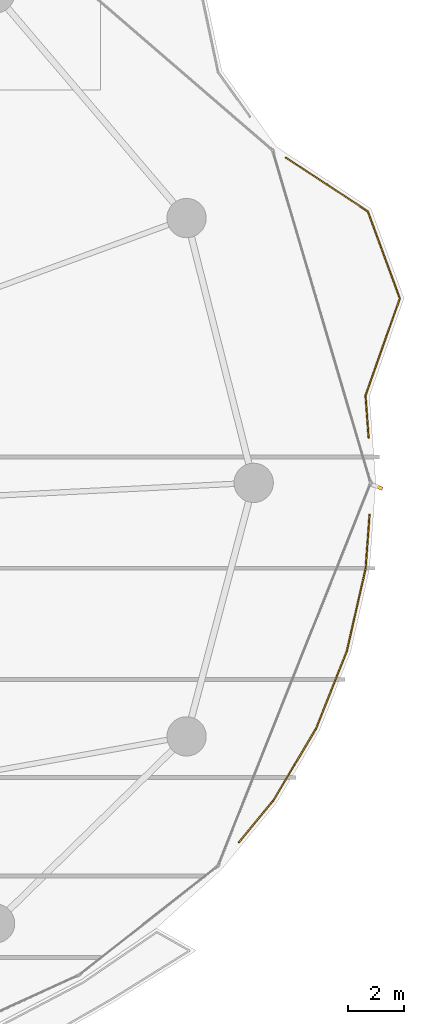
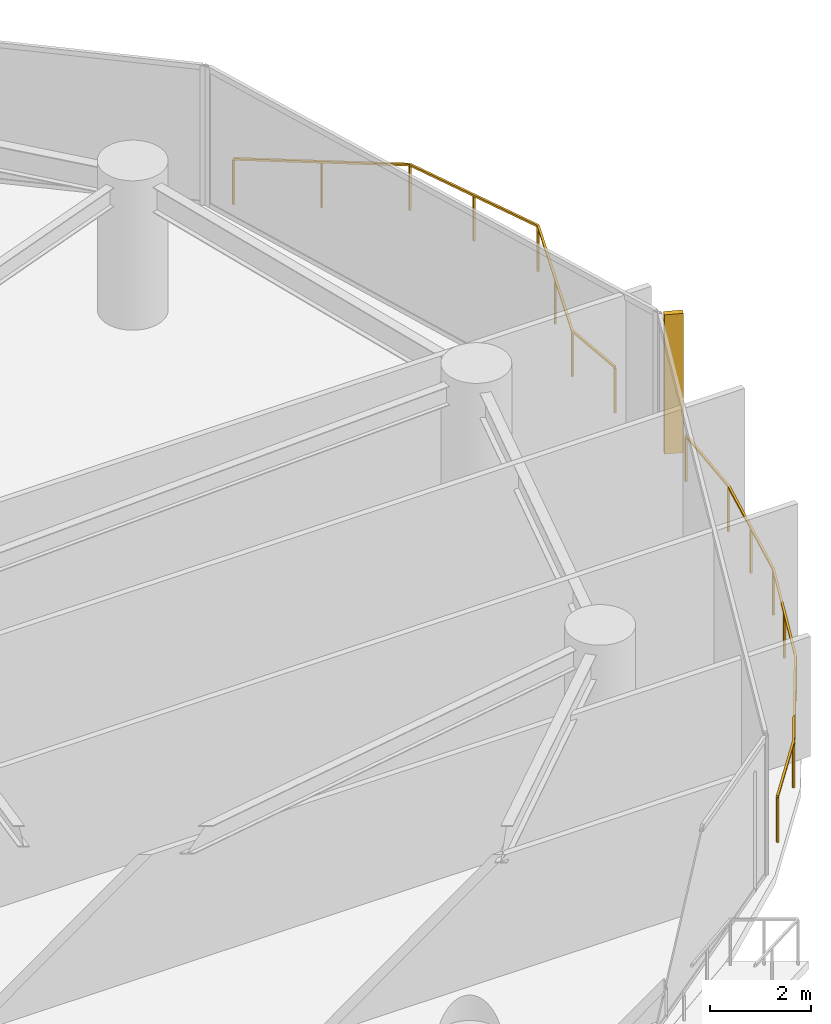
# One storey, part 32 of 32: 2 railings, 1 shading device.
"""IFC4 building model written with IfcOpenShell, lengths in metres."""

from ifc_helpers import new_model, si_unit, direction, frame, origin, origin_2d, place, context, subcontext, project, spatial, rectangle, extrude, material, type_object, element, save


model = new_model("IFC4")

# Units and contexts
model_context = context("Model", 3, precision=1e-05, world=origin(), true_north=direction((0.0, 1.0)))
body_context = subcontext(model_context, "Body", "Model", "MODEL_VIEW")
ifc_project = project(units=[si_unit("LENGTHUNIT", "METRE"), si_unit("AREAUNIT", "SQUARE_METRE"), si_unit("VOLUMEUNIT", "CUBIC_METRE"), si_unit("PLANEANGLEUNIT", "RADIAN"), si_unit("MASSUNIT", "GRAM", prefix="KILO")], contexts=[model_context])

# Site, building, storey
site_placement = place(None, origin())
site = spatial("IfcSite", under=ifc_project, at=site_placement, CompositionType="ELEMENT")
building_placement = place(site_placement, origin())
building = spatial("IfcBuilding", under=site, at=building_placement, Name="Kazevale Care Tower and Concert Hall", CompositionType="ELEMENT")
storey_placement = place(building_placement, frame((0.0, 0.0, 24.0)))
storey = spatial("IfcBuildingStorey", under=building, at=storey_placement, Name="L05", CompositionType="ELEMENT", Elevation=24.0)

# Railings
ifc_material_1 = material(Name="Anodised Bronze Aluminium and Laminated Glass", Category="aluminium")
railing_type = type_object("IfcRailingType", Name="Balcony and Terrace Balustrade 1120", PredefinedType="BALUSTRADE", material=ifc_material_1)
railing_1_placement = place(storey_placement, frame((80.575927734375, 36.864990234375, 0.0)))
element("IfcRailing", 1, at=railing_1_placement, inside=storey, type_object=railing_type, Name="rail:L05:perim:10", PredefinedType="BALUSTRADE", context=body_context, shape_type="SweptSolid", body=[
    extrude(rectangle(XDim=0.048095703125, YDim=0.048095703125, at=origin_2d()), frame((0.0, 0.0, 1.09619140625), z_axis=(-0.072929321708, -0.99733711153, 0.0), x_axis=(0.99733711153, -0.072929321708, 0.0)), (0.0, 0.0, 1.0), 1.918212890625),
    extrude(rectangle(XDim=0.048095703125, YDim=0.048095703125, at=origin_2d()), frame((-0.139892578125, -1.9130859375, 1.09619140625), z_axis=(-0.22169815306, -0.975115341347, 0.0), x_axis=(0.975115341347, -0.22169815306, 0.0)), (0.0, 0.0, 1.0), 3.012939453125),
    extrude(rectangle(XDim=0.048095703125, YDim=0.048095703125, at=origin_2d()), frame((-0.807861328125, -4.85107421875, 1.09619140625), z_axis=(-0.369500413357, -0.92923056586, 0.0), x_axis=(0.92923056586, -0.369500413357, 0.0)), (0.0, 0.0, 1.0), 2.985107421875),
    extrude(rectangle(XDim=0.048095703125, YDim=0.048095703125, at=origin_2d()), frame((-1.910888671875, -7.625, 1.09619140625), z_axis=(-0.510655847211, -0.859785209055, 0.0), x_axis=(0.859785209055, -0.510655847211, 0.0)), (0.0, 0.0, 1.0), 2.986572265625),
    extrude(rectangle(XDim=0.048095703125, YDim=0.048095703125, at=origin_2d()), frame((-3.43603515625, -10.19287109375, 1.09619140625), z_axis=(-0.636478085384, -0.771294785945, 0.0), x_axis=(0.771294785945, -0.636478085384, 0.0)), (0.0, 0.0, 1.0), 1.90869140625),
    extrude(rectangle(XDim=0.0419921875, YDim=0.0419921875, at=origin_2d()), origin(), (0.0, 0.0, 1.0), 1.072021484375),
    extrude(rectangle(XDim=0.0419921875, YDim=0.0419921875, at=origin_2d()), frame((-0.139892578125, -1.9130859375, 0.0)), (0.0, 0.0, 1.0), 1.072021484375),
    extrude(rectangle(XDim=0.0419921875, YDim=0.0419921875, at=origin_2d()), frame((-0.473876953125, -3.382080078125, 0.0)), (0.0, 0.0, 1.0), 1.072021484375),
    extrude(rectangle(XDim=0.0419921875, YDim=0.0419921875, at=origin_2d()), frame((-0.807861328125, -4.85107421875, 0.0)), (0.0, 0.0, 1.0), 1.072021484375),
    extrude(rectangle(XDim=0.0419921875, YDim=0.0419921875, at=origin_2d()), frame((-1.359375, -6.238037109375, 0.0)), (0.0, 0.0, 1.0), 1.072021484375),
    extrude(rectangle(XDim=0.0419921875, YDim=0.0419921875, at=origin_2d()), frame((-1.910888671875, -7.625, 0.0)), (0.0, 0.0, 1.0), 1.072021484375),
    extrude(rectangle(XDim=0.0419921875, YDim=0.0419921875, at=origin_2d()), frame((-2.67333984375, -8.908935546875, 0.0)), (0.0, 0.0, 1.0), 1.072021484375),
    extrude(rectangle(XDim=0.0419921875, YDim=0.0419921875, at=origin_2d()), frame((-3.43603515625, -10.19287109375, 0.0)), (0.0, 0.0, 1.0), 1.072021484375),
    extrude(rectangle(XDim=0.0419921875, YDim=0.0419921875, at=origin_2d()), frame((-4.65087890625, -11.6650390625, 0.0)), (0.0, 0.0, 1.0), 1.072021484375),
])
railing_2_placement = place(storey_placement, frame((77.60205078125, 49.580078125, 0.0)))
element("IfcRailing", 2, at=railing_2_placement, inside=storey, type_object=railing_type, Name="rail:L05:perim:11", PredefinedType="BALUSTRADE", context=body_context, shape_type="SweptSolid", body=[
    extrude(rectangle(XDim=0.048095703125, YDim=0.048095703125, at=origin_2d()), frame((0.0, 0.0, 1.09619140625), z_axis=(0.836080040141, -0.548607479422, 0.0), x_axis=(0.548607479422, 0.836080040141, 0.0)), (0.0, 0.0, 1.0), 3.4853515625),
    extrude(rectangle(XDim=0.048095703125, YDim=0.048095703125, at=origin_2d()), frame((2.9140625, -1.912109375, 1.09619140625), z_axis=(0.34544454401, -0.938439165324, 0.0), x_axis=(0.938439165324, 0.34544454401, 0.0)), (0.0, 0.0, 1.0), 3.296875),
    extrude(rectangle(XDim=0.048095703125, YDim=0.048095703125, at=origin_2d()), frame((4.052978515625, -5.006103515625, 1.09619140625), z_axis=(-0.332566381025, -0.94307984933, 0.0), x_axis=(0.94307984933, -0.332566381025, 0.0)), (0.0, 0.0, 1.0), 3.67431640625),
    extrude(rectangle(XDim=0.048095703125, YDim=0.048095703125, at=origin_2d()), frame((2.8310546875, -8.47119140625, 1.09619140625), z_axis=(0.072904890187, -0.997338897761, 0.0), x_axis=(0.997338897761, 0.072904890187, 0.0)), (0.0, 0.0, 1.0), 1.5068359375),
    extrude(rectangle(XDim=0.0419921875, YDim=0.0419921875, at=origin_2d()), origin(), (0.0, 0.0, 1.0), 1.072021484375),
    extrude(rectangle(XDim=0.0419921875, YDim=0.0419921875, at=origin_2d()), frame((1.45703125, -0.9560546875, 0.0)), (0.0, 0.0, 1.0), 1.072021484375),
    extrude(rectangle(XDim=0.0419921875, YDim=0.0419921875, at=origin_2d()), frame((2.9140625, -1.912109375, 0.0)), (0.0, 0.0, 1.0), 1.072021484375),
    extrude(rectangle(XDim=0.0419921875, YDim=0.0419921875, at=origin_2d()), frame((3.4833984375, -3.458984375, 0.0)), (0.0, 0.0, 1.0), 1.072021484375),
    extrude(rectangle(XDim=0.0419921875, YDim=0.0419921875, at=origin_2d()), frame((4.052978515625, -5.006103515625, 0.0)), (0.0, 0.0, 1.0), 1.072021484375),
    extrude(rectangle(XDim=0.0419921875, YDim=0.0419921875, at=origin_2d()), frame((3.44189453125, -6.73876953125, 0.0)), (0.0, 0.0, 1.0), 1.072021484375),
    extrude(rectangle(XDim=0.0419921875, YDim=0.0419921875, at=origin_2d()), frame((2.8310546875, -8.47119140625, 0.0)), (0.0, 0.0, 1.0), 1.072021484375),
    extrude(rectangle(XDim=0.0419921875, YDim=0.0419921875, at=origin_2d()), frame((2.94091796875, -9.97412109375, 0.0)), (0.0, 0.0, 1.0), 1.072021484375),
])

# Shading device
ifc_material_2 = material(Name="Honed Ochre Limestone", Category="masonry")
shading_device_type = type_object("IfcShadingDeviceType", Name="Vertical Honed Limestone Fin FIN-01", PredefinedType="USERDEFINED", material=ifc_material_2)
shading_device_placement = place(storey_placement, frame((80.861572265625, 37.860595703125, 0.0), z_axis=(0.0, 0.0, 1.0), x_axis=(0.928874213199, -0.370395324019, 0.0)))
element("IfcShadingDevice", 3, at=shading_device_placement, inside=storey, type_object=shading_device_type, Name="cw:L05:f01:fin", ObjectType="FIN", PredefinedType="USERDEFINED", context=body_context, shape_type="SweptSolid", body=[
    extrude(rectangle(XDim=0.3798828125, YDim=0.1201171875, at=origin_2d()), origin(), (0.0, 0.0, 1.0), 3.360107421875),
])

save(model, "model.ifc")
